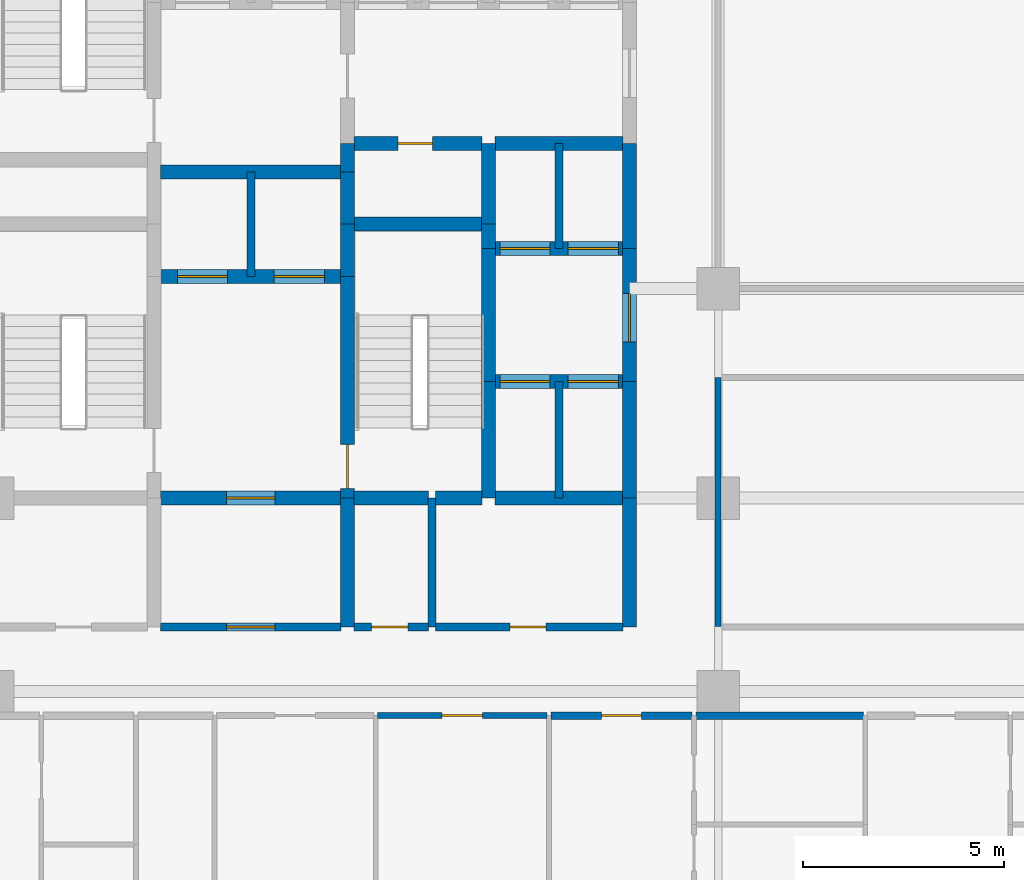
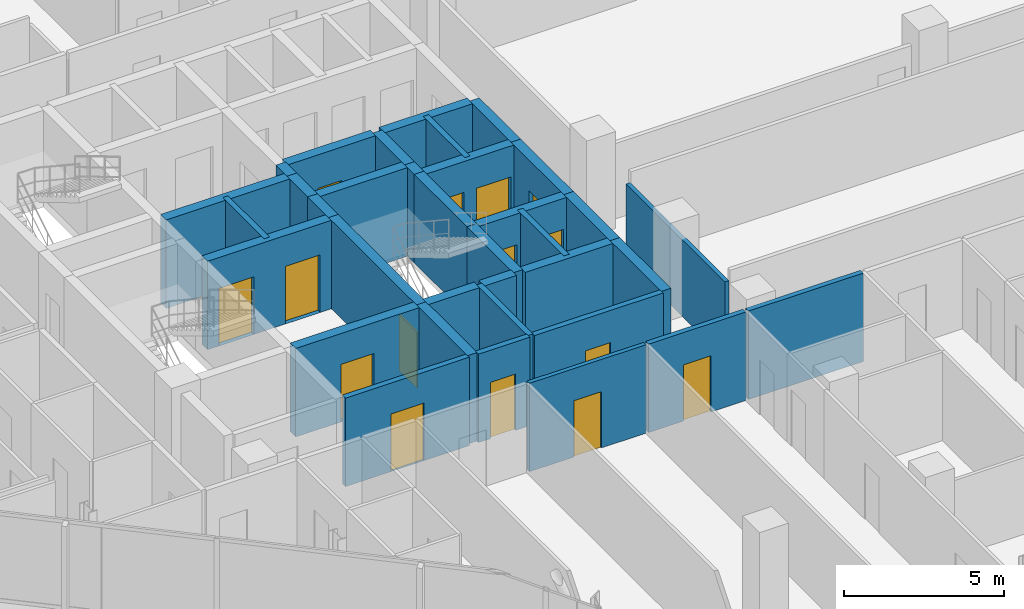
# One storey, part 25 of 30: 35 walls, 15 doors, 15 openings.
"""IFC4 building model written with IfcOpenShell, lengths in metres."""

from ifc_helpers import new_model, si_unit, direction, frame, frame_2d, origin, place, context, subcontext, project, spatial, rectangle, extrude, material, layer, layer_set, type_object, element, fill, save


model = new_model("IFC4")

# Units and contexts
model_context = context("Model", 3, precision=1e-05, world=origin(), true_north=direction((0.0, 1.0)))
body_context = subcontext(model_context, "Body", "Model", "MODEL_VIEW")
ifc_project = project(units=[si_unit("LENGTHUNIT", "METRE"), si_unit("AREAUNIT", "SQUARE_METRE"), si_unit("VOLUMEUNIT", "CUBIC_METRE"), si_unit("PLANEANGLEUNIT", "RADIAN"), si_unit("MASSUNIT", "GRAM", prefix="KILO")], contexts=[model_context])

# Site, building, storey
site_placement = place(None, origin())
site = spatial("IfcSite", under=ifc_project, at=site_placement, CompositionType="ELEMENT")
building_placement = place(site_placement, origin())
building = spatial("IfcBuilding", under=site, at=building_placement, Name="Keshet Zoharim Tower", CompositionType="ELEMENT")
storey_placement = place(building_placement, frame((0.0, 0.0, 116.800048828125)))
storey = spatial("IfcBuildingStorey", under=building, at=storey_placement, Name="L28", CompositionType="ELEMENT", Elevation=116.800048828125)

# Wall
ifc_material_1 = material(Name="Gypsum Plasterboard", Category="gypsum")
ifc_layer_1 = layer(ifc_material_1, 0.14990234375)
ifc_layer_set_1 = layer_set([ifc_layer_1], Name="Gypsum Plasterboard")
wall_type_1 = type_object("IfcWallType", Name="WL-CLIN-150", PredefinedType="STANDARD", material=ifc_layer_set_1)
wall_1_placement = place(storey_placement, frame((33.0, 19.510009765625, 0.0), z_axis=(0.0, 0.0, 1.0), x_axis=(0.0, 1.0, 0.0)))
element("IfcWall", 1, at=wall_1_placement, inside=storey, type_object=wall_type_1, Name="L28 Interior Wall 075", PredefinedType="STANDARD", context=body_context, shape_type="SweptSolid", body=[
    extrude(rectangle(XDim=6.179931640625, YDim=0.14990234375, at=frame_2d((3.08984375, 0.0))), origin(), (0.0, 0.0, 1.0), 2.929931640625),
])

# Wall, opening, door
wall_2_placement = place(storey_placement, frame((24.544921875, 17.300048828125, 0.0), z_axis=(0.0, 0.0, 1.0), x_axis=(1.0, 0.0, 0.0)))
wall_2 = element("IfcWall", 2, at=wall_2_placement, inside=storey, type_object=wall_type_1, Name="L28 Interior Wall 131", PredefinedType="STANDARD", context=body_context, shape_type="SweptSolid", body=[
    extrude(rectangle(XDim=4.2099609375, YDim=0.14990234375, at=frame_2d((2.10498046875, 0.0))), origin(), (0.0, 0.0, 1.0), 3.3798828125),
])
opening_1_placement = place(wall_2_placement, frame((1.60498046875, 0.0, 0.0)))
opening_1 = element("IfcOpeningElement", 3, at=opening_1_placement, cuts=wall_2, Name="Opening D-F310", PredefinedType="OPENING", context=body_context, shape_type="SweptSolid", body=[
    extrude(rectangle(XDim=1.0, YDim=2.14990234375, at=frame_2d((0.5, 1.074951171875))), frame((0.0, 0.0849609375, 0.0), z_axis=(0.0, -1.0, 0.0), x_axis=(1.0, 0.0, 0.0)), (0.0, 0.0, 1.0), 0.169921875),
])
ifc_material_2 = material(Name="Hardwood Timber", Category="wood")
door_type_1 = type_object("IfcDoorType", Name="DR-FD30-100", OperationType="NOTDEFINED", PredefinedType="DOOR", material=ifc_material_2)
door_1_placement = place(opening_1_placement, origin())
door_1 = element("IfcDoor", 4, at=door_1_placement, inside=storey, type_object=door_type_1, Name="L28 Residents Meeting Room Door", OperationType="SINGLE_SWING_RIGHT", OverallHeight=2.14990234375, OverallWidth=1.0, PredefinedType="DOOR", context=body_context, shape_type="SweptSolid", body=[
    extrude(rectangle(XDim=1.0, YDim=2.14990234375, at=frame_2d((0.5, 1.074951171875))), frame((0.0, 0.02490234375, 0.0), z_axis=(0.0, -1.0, 0.0), x_axis=(1.0, 0.0, 0.0)), (0.0, 0.0, 1.0), 0.050048828125),
])
fill(opening_1, door_1)

# Wall
ifc_material_3 = material(Name="Concrete C60/75", Category="concrete")
ifc_layer_2 = layer(ifc_material_3, 0.35009765625)
ifc_layer_set_2 = layer_set([ifc_layer_2], Name="Concrete C60/75")
wall_type_2 = type_object("IfcWallType", Name="WL-CORE-350", PredefinedType="SHEAR", material=ifc_layer_set_2)
wall_3_placement = place(storey_placement, frame((23.800048828125, 19.5, 0.0), z_axis=(0.0, 0.0, 1.0), x_axis=(0.0, 1.0, 0.0)))
element("IfcWall", 5, at=wall_3_placement, inside=storey, type_object=wall_type_2, Name="L28 Core Shear Wall 040", PredefinedType="SHEAR", context=body_context, shape_type="SweptSolid", body=[
    extrude(rectangle(XDim=3.199951171875, YDim=0.35009765625, at=frame_2d((1.60009765625, 0.0))), origin(), (0.0, 0.0, 1.0), 3.3798828125),
])

# Wall, opening, door
wall_4_placement = place(storey_placement, frame((23.800048828125, 22.699951171875, 0.0), z_axis=(0.0, 0.0, 1.0), x_axis=(0.0, 1.0, 0.0)))
wall_4 = element("IfcWall", 6, at=wall_4_placement, inside=storey, type_object=wall_type_2, Name="L28 Core Shear Wall 041", PredefinedType="SHEAR", context=body_context, shape_type="SweptSolid", body=[
    extrude(rectangle(XDim=5.5, YDim=0.35009765625, at=frame_2d((2.75, 0.0))), origin(), (0.0, 0.0, 1.0), 3.3798828125),
])
opening_2_placement = place(wall_4_placement, frame((0.235107421875, 0.0, 0.0)))
opening_2 = element("IfcOpeningElement", 7, at=opening_2_placement, cuts=wall_4, Name="Opening D-F611", PredefinedType="OPENING", context=body_context, shape_type="SweptSolid", body=[
    extrude(rectangle(XDim=1.10009765625, YDim=2.14990234375, at=frame_2d((0.550048828125, 1.074951171875))), frame((0.0, 0.18505859375, 0.0), z_axis=(0.0, -1.0, 0.0), x_axis=(1.0, 0.0, 0.0)), (0.0, 0.0, 1.0), 0.3701171875),
])
door_type_2 = type_object("IfcDoorType", Name="DR-FD60-110", OperationType="NOTDEFINED", PredefinedType="DOOR", material=ifc_material_2)
door_2_placement = place(opening_2_placement, frame((1.10009765625, 0.0, 0.0), z_axis=(0.0, 0.0, 1.0), x_axis=(-1.0, 0.0, 0.0)))
door_2 = element("IfcDoor", 8, at=door_2_placement, inside=storey, type_object=door_type_2, Name="L28 Exit Stair ST-03 Fire Door", OperationType="SINGLE_SWING_RIGHT", OverallHeight=2.14990234375, OverallWidth=1.10009765625, PredefinedType="DOOR", context=body_context, shape_type="SweptSolid", body=[
    extrude(rectangle(XDim=1.10009765625, YDim=2.14990234375, at=frame_2d((0.550048828125, 1.074951171875))), frame((0.0, 0.02490234375, 0.0), z_axis=(0.0, -1.0, 0.0), x_axis=(1.0, 0.0, 0.0)), (0.0, 0.0, 1.0), 0.050048828125),
])
fill(opening_2, door_2)

# Walls
for number, where, z_axis, x_axis, name in (
    (9, (23.800048828125, 28.199951171875, 0.0), (0.0, 0.0, 1.0), (0.0, 1.0, 0.0), "L28 Core Shear Wall 042"),
    (10, (23.800048828125, 29.5, 0.0), (0.0, 0.0, 1.0), (0.0, 1.0, 0.0), "L28 Core Shear Wall 043"),
):
    element("IfcWall", number, at=place(storey_placement, frame(where, z_axis=z_axis, x_axis=x_axis)), inside=storey, type_object=wall_type_2, Name=name, PredefinedType="SHEAR", context=body_context, shape_type="SweptSolid", body=[
        extrude(rectangle(XDim=1.300048828125, YDim=0.35009765625, at=frame_2d((0.64990234375, 0.0))), origin(), (0.0, 0.0, 1.0), 3.3798828125),
    ])
wall_5_placement = place(storey_placement, frame((23.800048828125, 30.800048828125, 0.0), z_axis=(0.0, 0.0, 1.0), x_axis=(0.0, 1.0, 0.0)))
element("IfcWall", 11, at=wall_5_placement, inside=storey, type_object=wall_type_2, Name="L28 Core Shear Wall 044", PredefinedType="SHEAR", context=body_context, shape_type="SweptSolid", body=[
    extrude(rectangle(XDim=0.699951171875, YDim=0.35009765625, at=frame_2d((0.35009765625, 0.0))), origin(), (0.0, 0.0, 1.0), 3.3798828125),
])
wall_6_placement = place(storey_placement, frame((27.300048828125, 22.699951171875, 0.0), z_axis=(0.0, 0.0, 1.0), x_axis=(0.0, 1.0, 0.0)))
element("IfcWall", 12, at=wall_6_placement, inside=storey, type_object=wall_type_2, Name="L28 Core Shear Wall 053", PredefinedType="SHEAR", context=body_context, shape_type="SweptSolid", body=[
    extrude(rectangle(XDim=2.900146484375, YDim=0.35009765625, at=frame_2d((1.4501953125, 0.0))), origin(), (0.0, 0.0, 1.0), 3.3798828125),
])
wall_7_placement = place(storey_placement, frame((27.300048828125, 25.60009765625, 0.0), z_axis=(0.0, 0.0, 1.0), x_axis=(0.0, 1.0, 0.0)))
element("IfcWall", 13, at=wall_7_placement, inside=storey, type_object=wall_type_2, Name="L28 Core Shear Wall 054", PredefinedType="SHEAR", context=body_context, shape_type="SweptSolid", body=[
    extrude(rectangle(XDim=3.2998046875, YDim=0.35009765625, at=frame_2d((1.64990234375, 0.0))), origin(), (0.0, 0.0, 1.0), 3.3798828125),
])
wall_8_placement = place(storey_placement, frame((27.300048828125, 28.89990234375, 0.0), z_axis=(0.0, 0.0, 1.0), x_axis=(0.0, 1.0, 0.0)))
element("IfcWall", 14, at=wall_8_placement, inside=storey, type_object=wall_type_2, Name="L28 Core Shear Wall 055", PredefinedType="SHEAR", context=body_context, shape_type="SweptSolid", body=[
    extrude(rectangle(XDim=0.60009765625, YDim=0.35009765625, at=frame_2d((0.300048828125, 0.0))), origin(), (0.0, 0.0, 1.0), 3.3798828125),
])
wall_9_placement = place(storey_placement, frame((27.300048828125, 29.5, 0.0), z_axis=(0.0, 0.0, 1.0), x_axis=(0.0, 1.0, 0.0)))
element("IfcWall", 15, at=wall_9_placement, inside=storey, type_object=wall_type_2, Name="L28 Core Shear Wall 056", PredefinedType="SHEAR", context=body_context, shape_type="SweptSolid", body=[
    extrude(rectangle(XDim=2.0, YDim=0.35009765625, at=frame_2d((1.0, 0.0))), origin(), (0.0, 0.0, 1.0), 3.3798828125),
])
wall_10_placement = place(storey_placement, frame((30.800048828125, 19.5, 0.0), z_axis=(0.0, 0.0, 1.0), x_axis=(0.0, 1.0, 0.0)))
element("IfcWall", 16, at=wall_10_placement, inside=storey, type_object=wall_type_2, Name="L28 Core Shear Wall 063", PredefinedType="SHEAR", context=body_context, shape_type="SweptSolid", body=[
    extrude(rectangle(XDim=3.199951171875, YDim=0.35009765625, at=frame_2d((1.60009765625, 0.0))), origin(), (0.0, 0.0, 1.0), 3.3798828125),
])
wall_11_placement = place(storey_placement, frame((30.800048828125, 22.699951171875, 0.0), z_axis=(0.0, 0.0, 1.0), x_axis=(0.0, 1.0, 0.0)))
element("IfcWall", 17, at=wall_11_placement, inside=storey, type_object=wall_type_2, Name="L28 Core Shear Wall 064", PredefinedType="SHEAR", context=body_context, shape_type="SweptSolid", body=[
    extrude(rectangle(XDim=2.900146484375, YDim=0.35009765625, at=frame_2d((1.4501953125, 0.0))), origin(), (0.0, 0.0, 1.0), 3.3798828125),
])

# Wall, opening, door
wall_12_placement = place(storey_placement, frame((30.800048828125, 25.60009765625, 0.0), z_axis=(0.0, 0.0, 1.0), x_axis=(0.0, 1.0, 0.0)))
wall_12 = element("IfcWall", 18, at=wall_12_placement, inside=storey, type_object=wall_type_2, Name="L28 Core Shear Wall 065", PredefinedType="SHEAR", context=body_context, shape_type="SweptSolid", body=[
    extrude(rectangle(XDim=3.2998046875, YDim=0.35009765625, at=frame_2d((1.64990234375, 0.0))), origin(), (0.0, 0.0, 1.0), 3.3798828125),
])
opening_3_placement = place(wall_12_placement, frame((0.97802734375, 0.0, 0.0)))
opening_3 = element("IfcOpeningElement", 19, at=opening_3_placement, cuts=wall_12, Name="Opening D-F612", PredefinedType="OPENING", context=body_context, shape_type="SweptSolid", body=[
    extrude(rectangle(XDim=1.199951171875, YDim=2.199951171875, at=frame_2d((0.60009765625, 1.10009765625))), frame((0.0, 0.18505859375, 0.0), z_axis=(0.0, -1.0, 0.0), x_axis=(1.0, 0.0, 0.0)), (0.0, 0.0, 1.0), 0.3701171875),
])
door_type_3 = type_object("IfcDoorType", Name="DR-FD60-120", OperationType="NOTDEFINED", PredefinedType="DOOR", material=ifc_material_2)
door_3_placement = place(opening_3_placement, origin())
door_3 = element("IfcDoor", 20, at=door_3_placement, inside=storey, type_object=door_type_3, Name="L28 East Lift Lobby Fire Door", OperationType="SINGLE_SWING_RIGHT", OverallHeight=2.199951171875, OverallWidth=1.199951171875, PredefinedType="DOOR", context=body_context, shape_type="SweptSolid", body=[
    extrude(rectangle(XDim=1.199951171875, YDim=2.199951171875, at=frame_2d((0.60009765625, 1.10009765625))), frame((0.0, 0.02490234375, 0.0), z_axis=(0.0, -1.0, 0.0), x_axis=(1.0, 0.0, 0.0)), (0.0, 0.0, 1.0), 0.050048828125),
])
fill(opening_3, door_3)

# Wall
wall_13_placement = place(storey_placement, frame((30.800048828125, 28.89990234375, 0.0), z_axis=(0.0, 0.0, 1.0), x_axis=(0.0, 1.0, 0.0)))
element("IfcWall", 21, at=wall_13_placement, inside=storey, type_object=wall_type_2, Name="L28 Core Shear Wall 066", PredefinedType="SHEAR", context=body_context, shape_type="SweptSolid", body=[
    extrude(rectangle(XDim=2.60009765625, YDim=0.35009765625, at=frame_2d((1.300048828125, 0.0))), origin(), (0.0, 0.0, 1.0), 3.3798828125),
])

# Wall, opening, door
wall_14_placement = place(storey_placement, frame((19.159912109375, 22.699951171875, 0.0), z_axis=(0.0, 0.0, 1.0), x_axis=(1.0, 0.0, 0.0)))
wall_14 = element("IfcWall", 22, at=wall_14_placement, inside=storey, type_object=wall_type_2, Name="L28 Core Shear Wall 150", PredefinedType="SHEAR", context=body_context, shape_type="SweptSolid", body=[
    extrude(rectangle(XDim=4.47998046875, YDim=0.35009765625, at=frame_2d((2.239990234375, 0.0))), origin(), (0.0, 0.0, 1.0), 3.3798828125),
])
opening_4_placement = place(wall_14_placement, frame((1.639892578125, 0.0, 0.0)))
opening_4 = element("IfcOpeningElement", 23, at=opening_4_placement, cuts=wall_14, Name="Opening D-F612", PredefinedType="OPENING", context=body_context, shape_type="SweptSolid", body=[
    extrude(rectangle(XDim=1.199951171875, YDim=2.199951171875, at=frame_2d((0.60009765625, 1.10009765625))), frame((0.0, 0.18505859375, 0.0), z_axis=(0.0, -1.0, 0.0), x_axis=(1.0, 0.0, 0.0)), (0.0, 0.0, 1.0), 0.3701171875),
])
door_4_placement = place(opening_4_placement, origin())
door_4 = element("IfcDoor", 24, at=door_4_placement, inside=storey, type_object=door_type_3, Name="L28 South Core Lobby Fire Door", OperationType="SINGLE_SWING_RIGHT", OverallHeight=2.199951171875, OverallWidth=1.199951171875, PredefinedType="DOOR", context=body_context, shape_type="SweptSolid", body=[
    extrude(rectangle(XDim=1.199951171875, YDim=2.199951171875, at=frame_2d((0.60009765625, 1.10009765625))), frame((0.0, 0.02490234375, 0.0), z_axis=(0.0, -1.0, 0.0), x_axis=(1.0, 0.0, 0.0)), (0.0, 0.0, 1.0), 0.050048828125),
])
fill(opening_4, door_4)

# Walls
wall_15_placement = place(storey_placement, frame((23.9599609375, 22.699951171875, 0.0), z_axis=(0.0, 0.0, 1.0), x_axis=(1.0, 0.0, 0.0)))
element("IfcWall", 25, at=wall_15_placement, inside=storey, type_object=wall_type_2, Name="L28 Core Shear Wall 151", PredefinedType="SHEAR", context=body_context, shape_type="SweptSolid", body=[
    extrude(rectangle(XDim=1.85498046875, YDim=0.35009765625, at=frame_2d((0.927490234375, 0.0))), origin(), (0.0, 0.0, 1.0), 3.3798828125),
])
wall_16_placement = place(storey_placement, frame((25.985107421875, 22.699951171875, 0.0), z_axis=(0.0, 0.0, 1.0), x_axis=(1.0, 0.0, 0.0)))
element("IfcWall", 26, at=wall_16_placement, inside=storey, type_object=wall_type_2, Name="L28 Core Shear Wall 152", PredefinedType="SHEAR", context=body_context, shape_type="SweptSolid", body=[
    extrude(rectangle(XDim=1.15478515625, YDim=0.35009765625, at=frame_2d((0.577392578125, 0.0))), origin(), (0.0, 0.0, 1.0), 3.3798828125),
])
wall_17_placement = place(storey_placement, frame((27.4599609375, 22.699951171875, 0.0), z_axis=(0.0, 0.0, 1.0), x_axis=(1.0, 0.0, 0.0)))
element("IfcWall", 27, at=wall_17_placement, inside=storey, type_object=wall_type_2, Name="L28 Core Shear Wall 153", PredefinedType="SHEAR", context=body_context, shape_type="SweptSolid", body=[
    extrude(rectangle(XDim=3.179931640625, YDim=0.35009765625, at=frame_2d((1.58984375, 0.0))), origin(), (0.0, 0.0, 1.0), 3.3798828125),
])

# Wall, openings, doors
wall_18_placement = place(storey_placement, frame((27.4599609375, 25.60009765625, 0.0), z_axis=(0.0, 0.0, 1.0), x_axis=(1.0, 0.0, 0.0)))
wall_18 = element("IfcWall", 28, at=wall_18_placement, inside=storey, type_object=wall_type_2, Name="L28 Core Shear Wall 156", PredefinedType="SHEAR", context=body_context, shape_type="SweptSolid", body=[
    extrude(rectangle(XDim=3.179931640625, YDim=0.35009765625, at=frame_2d((1.58984375, 0.0))), origin(), (0.0, 0.0, 1.0), 3.3798828125),
])
opening_5_placement = place(wall_18_placement, frame((0.1201171875, 0.0, 0.0)))
opening_5 = element("IfcOpeningElement", 29, at=opening_5_placement, cuts=wall_18, Name="Opening LD-01", PredefinedType="OPENING", context=body_context, shape_type="SweptSolid", body=[
    extrude(rectangle(XDim=1.25, YDim=2.199951171875, at=frame_2d((0.625, 1.10009765625))), frame((0.0, 0.18505859375, 0.0), z_axis=(0.0, -1.0, 0.0), x_axis=(1.0, 0.0, 0.0)), (0.0, 0.0, 1.0), 0.3701171875),
])
opening_6_placement = place(wall_18_placement, frame((1.81005859375, 0.0, 0.0)))
opening_6 = element("IfcOpeningElement", 30, at=opening_6_placement, cuts=wall_18, Name="Opening LD-01", PredefinedType="OPENING", context=body_context, shape_type="SweptSolid", body=[
    extrude(rectangle(XDim=1.25, YDim=2.199951171875, at=frame_2d((0.625, 1.10009765625))), frame((0.0, 0.18505859375, 0.0), z_axis=(0.0, -1.0, 0.0), x_axis=(1.0, 0.0, 0.0)), (0.0, 0.0, 1.0), 0.3701171875),
])
ifc_material_4 = material(Name="Steel S355", Category="steel")
door_type_4 = type_object("IfcDoorType", Name="DR-LD01-125", OperationType="DOUBLE_DOOR_SLIDING", PredefinedType="DOOR", material=ifc_material_4)
door_5_placement = place(opening_5_placement, origin())
door_5 = element("IfcDoor", 31, at=door_5_placement, inside=storey, type_object=door_type_4, Name="L28 Passenger Lift Landing Door LF-07", OperationType="DOUBLE_DOOR_SLIDING", OverallHeight=2.199951171875, OverallWidth=1.25, PredefinedType="DOOR", context=body_context, shape_type="SweptSolid", body=[
    extrude(rectangle(XDim=1.25, YDim=2.199951171875, at=frame_2d((0.625, 1.10009765625))), frame((0.0, 0.02490234375, 0.0), z_axis=(0.0, -1.0, 0.0), x_axis=(1.0, 0.0, 0.0)), (0.0, 0.0, 1.0), 0.050048828125),
])
fill(opening_5, door_5)
door_6_placement = place(opening_6_placement, origin())
door_6 = element("IfcDoor", 32, at=door_6_placement, inside=storey, type_object=door_type_4, Name="L28 Passenger Lift Landing Door LF-08", OperationType="DOUBLE_DOOR_SLIDING", OverallHeight=2.199951171875, OverallWidth=1.25, PredefinedType="DOOR", context=body_context, shape_type="SweptSolid", body=[
    extrude(rectangle(XDim=1.25, YDim=2.199951171875, at=frame_2d((0.625, 1.10009765625))), frame((0.0, 0.02490234375, 0.0), z_axis=(0.0, -1.0, 0.0), x_axis=(1.0, 0.0, 0.0)), (0.0, 0.0, 1.0), 0.050048828125),
])
fill(opening_6, door_6)

wall_19_placement = place(storey_placement, frame((19.159912109375, 28.199951171875, 0.0), z_axis=(0.0, 0.0, 1.0), x_axis=(1.0, 0.0, 0.0)))
wall_19 = element("IfcWall", 33, at=wall_19_placement, inside=storey, type_object=wall_type_2, Name="L28 Core Shear Wall 163", PredefinedType="SHEAR", context=body_context, shape_type="SweptSolid", body=[
    extrude(rectangle(XDim=4.47998046875, YDim=0.35009765625, at=frame_2d((2.239990234375, 0.0))), origin(), (0.0, 0.0, 1.0), 3.3798828125),
])
opening_7_placement = place(wall_19_placement, frame((0.4150390625, 0.0, 0.0)))
opening_7 = element("IfcOpeningElement", 34, at=opening_7_placement, cuts=wall_19, Name="Opening LD-01", PredefinedType="OPENING", context=body_context, shape_type="SweptSolid", body=[
    extrude(rectangle(XDim=1.25, YDim=2.199951171875, at=frame_2d((0.625, 1.10009765625))), frame((0.0, 0.18505859375, 0.0), z_axis=(0.0, -1.0, 0.0), x_axis=(1.0, 0.0, 0.0)), (0.0, 0.0, 1.0), 0.3701171875),
])
opening_8_placement = place(wall_19_placement, frame((2.81494140625, 0.0, 0.0)))
opening_8 = element("IfcOpeningElement", 35, at=opening_8_placement, cuts=wall_19, Name="Opening LD-01", PredefinedType="OPENING", context=body_context, shape_type="SweptSolid", body=[
    extrude(rectangle(XDim=1.25, YDim=2.199951171875, at=frame_2d((0.625, 1.10009765625))), frame((0.0, 0.18505859375, 0.0), z_axis=(0.0, -1.0, 0.0), x_axis=(1.0, 0.0, 0.0)), (0.0, 0.0, 1.0), 0.3701171875),
])
door_7_placement = place(opening_7_placement, origin())
door_7 = element("IfcDoor", 36, at=door_7_placement, inside=storey, type_object=door_type_4, Name="L28 Passenger Lift Landing Door LF-09", OperationType="DOUBLE_DOOR_SLIDING", OverallHeight=2.199951171875, OverallWidth=1.25, PredefinedType="DOOR", context=body_context, shape_type="SweptSolid", body=[
    extrude(rectangle(XDim=1.25, YDim=2.199951171875, at=frame_2d((0.625, 1.10009765625))), frame((0.0, 0.02490234375, 0.0), z_axis=(0.0, -1.0, 0.0), x_axis=(1.0, 0.0, 0.0)), (0.0, 0.0, 1.0), 0.050048828125),
])
fill(opening_7, door_7)
door_8_placement = place(opening_8_placement, origin())
door_8 = element("IfcDoor", 37, at=door_8_placement, inside=storey, type_object=door_type_4, Name="L28 Passenger Lift Landing Door LF-10", OperationType="DOUBLE_DOOR_SLIDING", OverallHeight=2.199951171875, OverallWidth=1.25, PredefinedType="DOOR", context=body_context, shape_type="SweptSolid", body=[
    extrude(rectangle(XDim=1.25, YDim=2.199951171875, at=frame_2d((0.625, 1.10009765625))), frame((0.0, 0.02490234375, 0.0), z_axis=(0.0, -1.0, 0.0), x_axis=(1.0, 0.0, 0.0)), (0.0, 0.0, 1.0), 0.050048828125),
])
fill(opening_8, door_8)

wall_20_placement = place(storey_placement, frame((27.4599609375, 28.89990234375, 0.0), z_axis=(0.0, 0.0, 1.0), x_axis=(1.0, 0.0, 0.0)))
wall_20 = element("IfcWall", 38, at=wall_20_placement, inside=storey, type_object=wall_type_2, Name="L28 Core Shear Wall 164", PredefinedType="SHEAR", context=body_context, shape_type="SweptSolid", body=[
    extrude(rectangle(XDim=3.179931640625, YDim=0.35009765625, at=frame_2d((1.58984375, 0.0))), origin(), (0.0, 0.0, 1.0), 3.3798828125),
])
opening_9_placement = place(wall_20_placement, frame((0.1201171875, 0.0, 0.0)))
opening_9 = element("IfcOpeningElement", 39, at=opening_9_placement, cuts=wall_20, Name="Opening LD-01", PredefinedType="OPENING", context=body_context, shape_type="SweptSolid", body=[
    extrude(rectangle(XDim=1.25, YDim=2.199951171875, at=frame_2d((0.625, 1.10009765625))), frame((0.0, 0.18505859375, 0.0), z_axis=(0.0, -1.0, 0.0), x_axis=(1.0, 0.0, 0.0)), (0.0, 0.0, 1.0), 0.3701171875),
])
opening_10_placement = place(wall_20_placement, frame((1.81005859375, 0.0, 0.0)))
opening_10 = element("IfcOpeningElement", 40, at=opening_10_placement, cuts=wall_20, Name="Opening LD-01", PredefinedType="OPENING", context=body_context, shape_type="SweptSolid", body=[
    extrude(rectangle(XDim=1.25, YDim=2.199951171875, at=frame_2d((0.625, 1.10009765625))), frame((0.0, 0.18505859375, 0.0), z_axis=(0.0, -1.0, 0.0), x_axis=(1.0, 0.0, 0.0)), (0.0, 0.0, 1.0), 0.3701171875),
])
door_9_placement = place(opening_9_placement, origin())
door_9 = element("IfcDoor", 41, at=door_9_placement, inside=storey, type_object=door_type_4, Name="L28 Passenger Lift Landing Door LF-05", OperationType="DOUBLE_DOOR_SLIDING", OverallHeight=2.199951171875, OverallWidth=1.25, PredefinedType="DOOR", context=body_context, shape_type="SweptSolid", body=[
    extrude(rectangle(XDim=1.25, YDim=2.199951171875, at=frame_2d((0.625, 1.10009765625))), frame((0.0, 0.02490234375, 0.0), z_axis=(0.0, -1.0, 0.0), x_axis=(1.0, 0.0, 0.0)), (0.0, 0.0, 1.0), 0.050048828125),
])
fill(opening_9, door_9)
door_10_placement = place(opening_10_placement, origin())
door_10 = element("IfcDoor", 42, at=door_10_placement, inside=storey, type_object=door_type_4, Name="L28 Passenger Lift Landing Door LF-06", OperationType="DOUBLE_DOOR_SLIDING", OverallHeight=2.199951171875, OverallWidth=1.25, PredefinedType="DOOR", context=body_context, shape_type="SweptSolid", body=[
    extrude(rectangle(XDim=1.25, YDim=2.199951171875, at=frame_2d((0.625, 1.10009765625))), frame((0.0, 0.02490234375, 0.0), z_axis=(0.0, -1.0, 0.0), x_axis=(1.0, 0.0, 0.0)), (0.0, 0.0, 1.0), 0.050048828125),
])
fill(opening_10, door_10)

# Walls
wall_21_placement = place(storey_placement, frame((23.9599609375, 29.5, 0.0), z_axis=(0.0, 0.0, 1.0), x_axis=(1.0, 0.0, 0.0)))
element("IfcWall", 43, at=wall_21_placement, inside=storey, type_object=wall_type_2, Name="L28 Core Shear Wall 166", PredefinedType="SHEAR", context=body_context, shape_type="SweptSolid", body=[
    extrude(rectangle(XDim=3.179931640625, YDim=0.35009765625, at=frame_2d((1.58984375, 0.0))), origin(), (0.0, 0.0, 1.0), 3.3798828125),
])
wall_22_placement = place(storey_placement, frame((19.159912109375, 30.800048828125, 0.0), z_axis=(0.0, 0.0, 1.0), x_axis=(1.0, 0.0, 0.0)))
element("IfcWall", 44, at=wall_22_placement, inside=storey, type_object=wall_type_2, Name="L28 Core Shear Wall 169", PredefinedType="SHEAR", context=body_context, shape_type="SweptSolid", body=[
    extrude(rectangle(XDim=4.47998046875, YDim=0.35009765625, at=frame_2d((2.239990234375, 0.0))), origin(), (0.0, 0.0, 1.0), 3.3798828125),
])

# Wall, opening, door
wall_23_placement = place(storey_placement, frame((23.9599609375, 31.5, 0.0), z_axis=(0.0, 0.0, 1.0), x_axis=(1.0, 0.0, 0.0)))
wall_23 = element("IfcWall", 45, at=wall_23_placement, inside=storey, type_object=wall_type_2, Name="L28 Core Shear Wall 171", PredefinedType="SHEAR", context=body_context, shape_type="SweptSolid", body=[
    extrude(rectangle(XDim=3.179931640625, YDim=0.35009765625, at=frame_2d((1.58984375, 0.0))), origin(), (0.0, 0.0, 1.0), 3.3798828125),
])
opening_11_placement = place(wall_23_placement, frame((1.093994140625, 0.0, 0.0)))
opening_11 = element("IfcOpeningElement", 46, at=opening_11_placement, cuts=wall_23, Name="Opening D-RS85", PredefinedType="OPENING", context=body_context, shape_type="SweptSolid", body=[
    extrude(rectangle(XDim=0.85009765625, YDim=2.10009765625, at=frame_2d((0.425048828125, 1.050048828125))), frame((0.0, 0.18505859375, 0.0), z_axis=(0.0, -1.0, 0.0), x_axis=(1.0, 0.0, 0.0)), (0.0, 0.0, 1.0), 0.3701171875),
])
door_type_5 = type_object("IfcDoorType", Name="DR-RIS-085", OperationType="NOTDEFINED", PredefinedType="DOOR", material=ifc_material_2)
door_11_placement = place(opening_11_placement, origin())
door_11 = element("IfcDoor", 47, at=door_11_placement, inside=storey, type_object=door_type_5, Name="L28 Telecom Riser Access Cupboard Door", OperationType="SINGLE_SWING_RIGHT", OverallHeight=2.10009765625, OverallWidth=0.85009765625, PredefinedType="DOOR", context=body_context, shape_type="SweptSolid", body=[
    extrude(rectangle(XDim=0.85009765625, YDim=2.10009765625, at=frame_2d((0.425048828125, 1.050048828125))), frame((0.0, 0.02490234375, 0.0), z_axis=(0.0, -1.0, 0.0), x_axis=(1.0, 0.0, 0.0)), (0.0, 0.0, 1.0), 0.050048828125),
])
fill(opening_11, door_11)

# Wall
wall_24_placement = place(storey_placement, frame((27.4599609375, 31.5, 0.0), z_axis=(0.0, 0.0, 1.0), x_axis=(1.0, 0.0, 0.0)))
element("IfcWall", 48, at=wall_24_placement, inside=storey, type_object=wall_type_2, Name="L28 Core Shear Wall 172", PredefinedType="SHEAR", context=body_context, shape_type="SweptSolid", body=[
    extrude(rectangle(XDim=3.179931640625, YDim=0.35009765625, at=frame_2d((1.58984375, 0.0))), origin(), (0.0, 0.0, 1.0), 3.3798828125),
])

# Wall, opening, door
ifc_layer_3 = layer(ifc_material_1, 0.179931640625)
ifc_layer_set_3 = layer_set([ifc_layer_3], Name="Gypsum Plasterboard")
wall_type_3 = type_object("IfcWallType", Name="WL-CORR-180", PredefinedType="STANDARD", material=ifc_layer_set_3)
wall_25_placement = place(storey_placement, frame((28.844970703125, 17.300048828125, 0.0), z_axis=(0.0, 0.0, 1.0), x_axis=(1.0, 0.0, 0.0)))
wall_25 = element("IfcWall", 49, at=wall_25_placement, inside=storey, type_object=wall_type_3, Name="L28 Interior Wall 132", PredefinedType="STANDARD", context=body_context, shape_type="SweptSolid", body=[
    extrude(rectangle(XDim=3.510009765625, YDim=0.179931640625, at=frame_2d((1.7548828125, 0.0))), origin(), (0.0, 0.0, 1.0), 3.3798828125),
])
opening_12_placement = place(wall_25_placement, frame((1.2548828125, 0.0, 0.0)))
opening_12 = element("IfcOpeningElement", 50, at=opening_12_placement, cuts=wall_25, Name="Opening D-F310", PredefinedType="OPENING", context=body_context, shape_type="SweptSolid", body=[
    extrude(rectangle(XDim=1.0, YDim=2.14990234375, at=frame_2d((0.5, 1.074951171875))), frame((0.0, 0.10009765625, 0.0), z_axis=(0.0, -1.0, 0.0), x_axis=(1.0, 0.0, 0.0)), (0.0, 0.0, 1.0), 0.199951171875),
])
door_12_placement = place(opening_12_placement, origin())
door_12 = element("IfcDoor", 51, at=door_12_placement, inside=storey, type_object=door_type_1, Name="Apartment 2802 Entrance Door", OperationType="SINGLE_SWING_LEFT", OverallHeight=2.14990234375, OverallWidth=1.0, PredefinedType="DOOR", context=body_context, shape_type="SweptSolid", body=[
    extrude(rectangle(XDim=1.0, YDim=2.14990234375, at=frame_2d((0.5, 1.074951171875))), frame((0.0, 0.02490234375, 0.0), z_axis=(0.0, -1.0, 0.0), x_axis=(1.0, 0.0, 0.0)), (0.0, 0.0, 1.0), 0.050048828125),
])
fill(opening_12, door_12)

# Walls
wall_26_placement = place(storey_placement, frame((32.445068359375, 17.300048828125, 0.0), z_axis=(0.0, 0.0, 1.0), x_axis=(1.0, 0.0, 0.0)))
element("IfcWall", 52, at=wall_26_placement, inside=storey, type_object=wall_type_3, Name="L28 Interior Wall 133", PredefinedType="STANDARD", context=body_context, shape_type="SweptSolid", body=[
    extrude(rectangle(XDim=4.159912109375, YDim=0.179931640625, at=frame_2d((2.080078125, 0.0))), origin(), (0.0, 0.0, 1.0), 3.3798828125),
])
ifc_material_5 = material(Name="Concrete C50/60", Category="concrete")
ifc_layer_4 = layer(ifc_material_5, 0.199951171875)
ifc_layer_set_4 = layer_set([ifc_layer_4], Name="Concrete C50/60")
wall_type_4 = type_object("IfcWallType", Name="WL-FIRE-200", PredefinedType="STANDARD", material=ifc_layer_set_4)
wall_27_placement = place(storey_placement, frame((21.39990234375, 28.199951171875, 0.0), z_axis=(0.0, 0.0, 1.0), x_axis=(0.0, 1.0, 0.0)))
element("IfcWall", 53, at=wall_27_placement, inside=storey, type_object=wall_type_4, Name="L28 Interior Wall 037", PredefinedType="STANDARD", context=body_context, shape_type="SweptSolid", body=[
    extrude(rectangle(XDim=2.60009765625, YDim=0.199951171875, at=frame_2d((1.300048828125, 0.0))), origin(), (0.0, 0.0, 1.0), 3.3798828125),
])
wall_28_placement = place(storey_placement, frame((25.89990234375, 19.5, 0.0), z_axis=(0.0, 0.0, 1.0), x_axis=(0.0, 1.0, 0.0)))
element("IfcWall", 54, at=wall_28_placement, inside=storey, type_object=wall_type_4, Name="L28 Interior Wall 050", PredefinedType="STANDARD", context=body_context, shape_type="SweptSolid", body=[
    extrude(rectangle(XDim=3.199951171875, YDim=0.199951171875, at=frame_2d((1.60009765625, 0.0))), origin(), (0.0, 0.0, 1.0), 3.3798828125),
])
wall_29_placement = place(storey_placement, frame((29.050048828125, 22.699951171875, 0.0), z_axis=(0.0, 0.0, 1.0), x_axis=(0.0, 1.0, 0.0)))
element("IfcWall", 55, at=wall_29_placement, inside=storey, type_object=wall_type_4, Name="L28 Interior Wall 060", PredefinedType="STANDARD", context=body_context, shape_type="SweptSolid", body=[
    extrude(rectangle(XDim=2.900146484375, YDim=0.199951171875, at=frame_2d((1.4501953125, 0.0))), origin(), (0.0, 0.0, 1.0), 3.3798828125),
])
wall_30_placement = place(storey_placement, frame((29.050048828125, 28.89990234375, 0.0), z_axis=(0.0, 0.0, 1.0), x_axis=(0.0, 1.0, 0.0)))
element("IfcWall", 56, at=wall_30_placement, inside=storey, type_object=wall_type_4, Name="L28 Interior Wall 061", PredefinedType="STANDARD", context=body_context, shape_type="SweptSolid", body=[
    extrude(rectangle(XDim=2.60009765625, YDim=0.199951171875, at=frame_2d((1.300048828125, 0.0))), origin(), (0.0, 0.0, 1.0), 3.3798828125),
])

# Wall, opening, door
wall_31_placement = place(storey_placement, frame((19.159912109375, 19.5, 0.0), z_axis=(0.0, 0.0, 1.0), x_axis=(1.0, 0.0, 0.0)))
wall_31 = element("IfcWall", 57, at=wall_31_placement, inside=storey, type_object=wall_type_4, Name="L28 Interior Wall 142", PredefinedType="STANDARD", context=body_context, shape_type="SweptSolid", body=[
    extrude(rectangle(XDim=4.47998046875, YDim=0.199951171875, at=frame_2d((2.239990234375, 0.0))), origin(), (0.0, 0.0, 1.0), 3.3798828125),
])
opening_13_placement = place(wall_31_placement, frame((1.639892578125, 0.0, 0.0)))
opening_13 = element("IfcOpeningElement", 58, at=opening_13_placement, cuts=wall_31, Name="Opening D-F612", PredefinedType="OPENING", context=body_context, shape_type="SweptSolid", body=[
    extrude(rectangle(XDim=1.199951171875, YDim=2.199951171875, at=frame_2d((0.60009765625, 1.10009765625))), frame((0.0, 0.10986328125, 0.0), z_axis=(0.0, -1.0, 0.0), x_axis=(1.0, 0.0, 0.0)), (0.0, 0.0, 1.0), 0.219970703125),
])
door_13_placement = place(opening_13_placement, origin())
door_13 = element("IfcDoor", 59, at=door_13_placement, inside=storey, type_object=door_type_3, Name="L28 South Vestibule Corridor Door", OperationType="SINGLE_SWING_LEFT", OverallHeight=2.199951171875, OverallWidth=1.199951171875, PredefinedType="DOOR", context=body_context, shape_type="SweptSolid", body=[
    extrude(rectangle(XDim=1.199951171875, YDim=2.199951171875, at=frame_2d((0.60009765625, 1.10009765625))), frame((0.0, 0.02490234375, 0.0), z_axis=(0.0, -1.0, 0.0), x_axis=(1.0, 0.0, 0.0)), (0.0, 0.0, 1.0), 0.050048828125),
])
fill(opening_13, door_13)

wall_32_placement = place(storey_placement, frame((23.9599609375, 19.5, 0.0), z_axis=(0.0, 0.0, 1.0), x_axis=(1.0, 0.0, 0.0)))
wall_32 = element("IfcWall", 60, at=wall_32_placement, inside=storey, type_object=wall_type_4, Name="L28 Interior Wall 143", PredefinedType="STANDARD", context=body_context, shape_type="SweptSolid", body=[
    extrude(rectangle(XDim=1.85498046875, YDim=0.199951171875, at=frame_2d((0.927490234375, 0.0))), origin(), (0.0, 0.0, 1.0), 3.3798828125),
])
opening_14_placement = place(wall_32_placement, frame((0.43994140625, 0.0, 0.0)))
opening_14 = element("IfcOpeningElement", 61, at=opening_14_placement, cuts=wall_32, Name="Opening D-F690", PredefinedType="OPENING", context=body_context, shape_type="SweptSolid", body=[
    extrude(rectangle(XDim=0.89990234375, YDim=2.14990234375, at=frame_2d((0.449951171875, 1.074951171875))), frame((0.0, 0.10986328125, 0.0), z_axis=(0.0, -1.0, 0.0), x_axis=(1.0, 0.0, 0.0)), (0.0, 0.0, 1.0), 0.219970703125),
])
door_type_6 = type_object("IfcDoorType", Name="DR-FD60-090", OperationType="NOTDEFINED", PredefinedType="DOOR", material=ifc_material_2)
door_14_placement = place(opening_14_placement, origin())
door_14 = element("IfcDoor", 62, at=door_14_placement, inside=storey, type_object=door_type_6, Name="L28 Cleaners Store Door", OperationType="SINGLE_SWING_RIGHT", OverallHeight=2.14990234375, OverallWidth=0.89990234375, PredefinedType="DOOR", context=body_context, shape_type="SweptSolid", body=[
    extrude(rectangle(XDim=0.89990234375, YDim=2.14990234375, at=frame_2d((0.449951171875, 1.074951171875))), frame((0.0, 0.02490234375, 0.0), z_axis=(0.0, -1.0, 0.0), x_axis=(1.0, 0.0, 0.0)), (0.0, 0.0, 1.0), 0.050048828125),
])
fill(opening_14, door_14)

wall_33_placement = place(storey_placement, frame((25.985107421875, 19.5, 0.0), z_axis=(0.0, 0.0, 1.0), x_axis=(1.0, 0.0, 0.0)))
wall_33 = element("IfcWall", 63, at=wall_33_placement, inside=storey, type_object=wall_type_4, Name="L28 Interior Wall 144", PredefinedType="STANDARD", context=body_context, shape_type="SweptSolid", body=[
    extrude(rectangle(XDim=4.65478515625, YDim=0.199951171875, at=frame_2d((2.327392578125, 0.0))), origin(), (0.0, 0.0, 1.0), 3.3798828125),
])
opening_15_placement = place(wall_33_placement, frame((1.844970703125, 0.0, 0.0)))
opening_15 = element("IfcOpeningElement", 64, at=opening_15_placement, cuts=wall_33, Name="Opening D-F690", PredefinedType="OPENING", context=body_context, shape_type="SweptSolid", body=[
    extrude(rectangle(XDim=0.89990234375, YDim=2.14990234375, at=frame_2d((0.449951171875, 1.074951171875))), frame((0.0, 0.10986328125, 0.0), z_axis=(0.0, -1.0, 0.0), x_axis=(1.0, 0.0, 0.0)), (0.0, 0.0, 1.0), 0.219970703125),
])
door_15_placement = place(opening_15_placement, origin())
door_15 = element("IfcDoor", 65, at=door_15_placement, inside=storey, type_object=door_type_6, Name="L28 Meter Room Door", OperationType="SINGLE_SWING_LEFT", OverallHeight=2.14990234375, OverallWidth=0.89990234375, PredefinedType="DOOR", context=body_context, shape_type="SweptSolid", body=[
    extrude(rectangle(XDim=0.89990234375, YDim=2.14990234375, at=frame_2d((0.449951171875, 1.074951171875))), frame((0.0, 0.02490234375, 0.0), z_axis=(0.0, -1.0, 0.0), x_axis=(1.0, 0.0, 0.0)), (0.0, 0.0, 1.0), 0.050048828125),
])
fill(opening_15, door_15)

save(model, "model.ifc")
